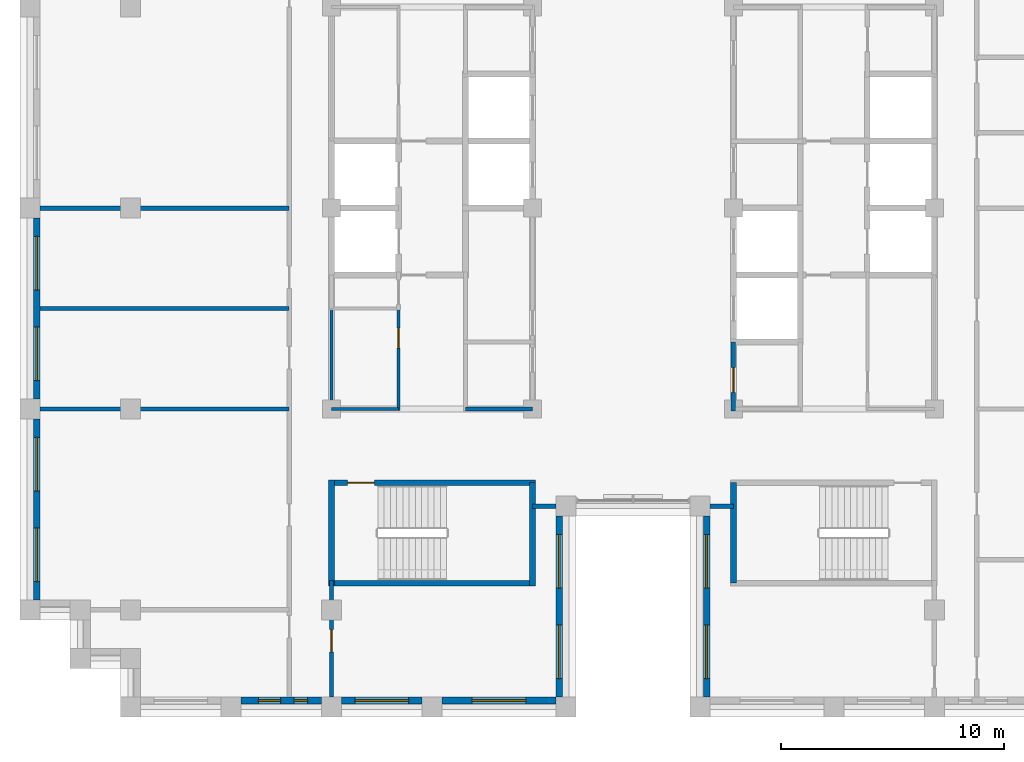
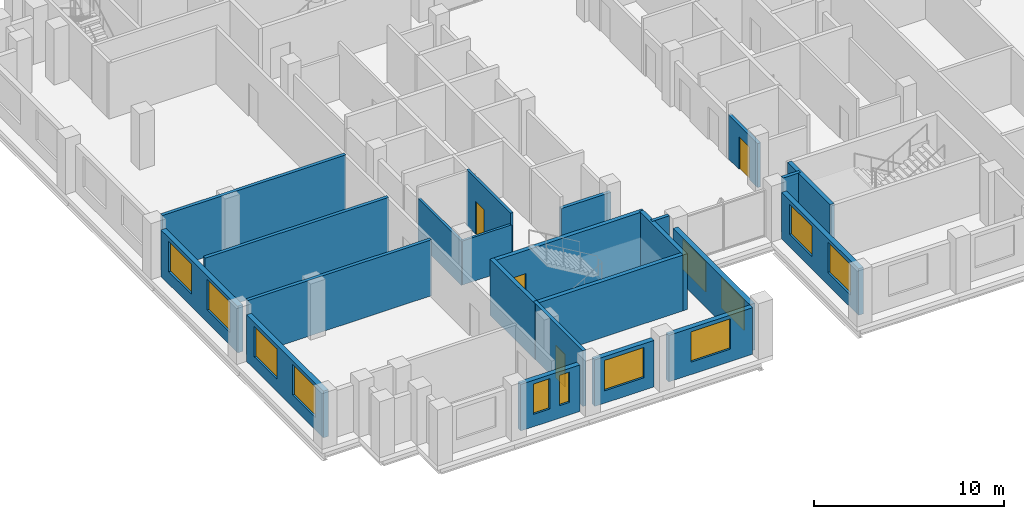
# One storey, part 6 of 13: 23 walls, 12 windows, 4 doors, 16 openings.
"""IFC4 building model written with IfcOpenShell, lengths in metres."""

from ifc_helpers import new_model, si_unit, direction, frame, frame_2d, origin, place, context, subcontext, project, spatial, rectangle, extrude, material, layer, layer_set, type_object, element, fill, save


model = new_model("IFC4")

# Units and contexts
model_context = context("Model", 3, precision=1e-05, world=origin(), true_north=direction((0.0, 1.0)))
body_context = subcontext(model_context, "Body", "Model", "MODEL_VIEW")
ifc_project = project(units=[si_unit("LENGTHUNIT", "METRE"), si_unit("AREAUNIT", "SQUARE_METRE"), si_unit("VOLUMEUNIT", "CUBIC_METRE"), si_unit("PLANEANGLEUNIT", "RADIAN"), si_unit("MASSUNIT", "GRAM", prefix="KILO")], contexts=[model_context])

# Site, building, storey
site_placement = place(None, origin())
site = spatial("IfcSite", under=ifc_project, at=site_placement, CompositionType="ELEMENT")
building_placement = place(site_placement, origin())
building = spatial("IfcBuilding", under=site, at=building_placement, Name="Corbelhall Arena Tower", CompositionType="ELEMENT")
storey_placement = place(building_placement, frame((0.0, 0.0, 290.0)))
storey = spatial("IfcBuildingStorey", under=building, at=storey_placement, Name="L63", CompositionType="ELEMENT", Elevation=290.0)

# Wall, openings, windows
ifc_material_1 = material(Name="Precast concrete C40/50 with granite facing", Category="masonry")
ifc_layer_1 = layer(ifc_material_1, 0.300048828125)
ifc_layer_set_1 = layer_set([ifc_layer_1], Name="EV-IW1 Infill panel 300")
wall_type_1 = type_object("IfcWallType", Name="EV-IW1 Infill panel 300", PredefinedType="SOLIDWALL", material=ifc_layer_set_1)
wall_1_placement = place(storey_placement, frame((-26.699951171875, -0.449951171875, 0.0), z_axis=(0.0, 0.0, 1.0), x_axis=(0.0, -1.0, 0.0)))
wall_1 = element("IfcWall", 1, at=wall_1_placement, inside=storey, type_object=wall_type_1, Name="Infill panel IW1", PredefinedType="SOLIDWALL", context=body_context, shape_type="SweptSolid", body=[
    extrude(rectangle(XDim=8.10009765625, YDim=0.300048828125, at=frame_2d((4.050048828125, 0.0))), origin(), (0.0, 0.0, 1.0), 2.989990234375),
])
opening_1_placement = place(wall_1_placement, frame((0.824951171875, 0.0, 0.800048828125)))
opening_1 = element("IfcOpeningElement", 2, at=opening_1_placement, cuts=wall_1, Name="Opening WN1", PredefinedType="OPENING", context=body_context, shape_type="SweptSolid", body=[
    extrude(rectangle(XDim=2.39990234375, YDim=1.949951171875, at=frame_2d((1.199951171875, 0.97509765625))), frame((0.0, 0.14990234375, 0.0), z_axis=(0.0, -1.0, 0.0), x_axis=(1.0, 0.0, 0.0)), (0.0, 0.0, 1.0), 0.300048828125),
])
opening_2_placement = place(wall_1_placement, frame((4.875, 0.0, 0.800048828125)))
opening_2 = element("IfcOpeningElement", 3, at=opening_2_placement, cuts=wall_1, Name="Opening WN1", PredefinedType="OPENING", context=body_context, shape_type="SweptSolid", body=[
    extrude(rectangle(XDim=2.39990234375, YDim=1.949951171875, at=frame_2d((1.199951171875, 0.97509765625))), frame((0.0, 0.14990234375, 0.0), z_axis=(0.0, -1.0, 0.0), x_axis=(1.0, 0.0, 0.0)), (0.0, 0.0, 1.0), 0.300048828125),
])
ifc_material_2 = material(Name="Aluminium black anodised", Category="aluminium")
window_type_1 = type_object("IfcWindowType", Name="EV-WN1 Office window", PartitioningType="SINGLE_PANEL", PredefinedType="WINDOW", material=ifc_material_2)
window_1_placement = place(opening_1_placement, origin())
window_1 = element("IfcWindow", 4, at=window_1_placement, inside=storey, type_object=window_type_1, Name="Window WN1", OverallHeight=1.949951171875, OverallWidth=2.39990234375, PartitioningType="SINGLE_PANEL", PredefinedType="WINDOW", context=body_context, shape_type="SweptSolid", body=[
    extrude(rectangle(XDim=2.39990234375, YDim=1.949951171875, at=frame_2d((1.199951171875, 0.97509765625))), frame((0.0, 0.030029296875, 0.0), z_axis=(0.0, -1.0, 0.0), x_axis=(1.0, 0.0, 0.0)), (0.0, 0.0, 1.0), 0.06005859375),
])
fill(opening_1, window_1)
window_2_placement = place(opening_2_placement, origin())
window_2 = element("IfcWindow", 5, at=window_2_placement, inside=storey, type_object=window_type_1, Name="Window WN1", OverallHeight=1.949951171875, OverallWidth=2.39990234375, PartitioningType="SINGLE_PANEL", PredefinedType="WINDOW", context=body_context, shape_type="SweptSolid", body=[
    extrude(rectangle(XDim=2.39990234375, YDim=1.949951171875, at=frame_2d((1.199951171875, 0.97509765625))), frame((0.0, 0.030029296875, 0.0), z_axis=(0.0, -1.0, 0.0), x_axis=(1.0, 0.0, 0.0)), (0.0, 0.0, 1.0), 0.06005859375),
])
fill(opening_2, window_2)

wall_2_placement = place(storey_placement, frame((-26.699951171875, -9.449951171875, 0.0), z_axis=(0.0, 0.0, 1.0), x_axis=(0.0, -1.0, 0.0)))
wall_2 = element("IfcWall", 6, at=wall_2_placement, inside=storey, type_object=wall_type_1, Name="Infill panel IW1", PredefinedType="SOLIDWALL", context=body_context, shape_type="SweptSolid", body=[
    extrude(rectangle(XDim=8.10009765625, YDim=0.300048828125, at=frame_2d((4.050048828125, 0.0))), origin(), (0.0, 0.0, 1.0), 2.989990234375),
])
opening_3_placement = place(wall_2_placement, frame((0.824951171875, 0.0, 0.800048828125)))
opening_3 = element("IfcOpeningElement", 7, at=opening_3_placement, cuts=wall_2, Name="Opening WN1", PredefinedType="OPENING", context=body_context, shape_type="SweptSolid", body=[
    extrude(rectangle(XDim=2.39990234375, YDim=1.949951171875, at=frame_2d((1.199951171875, 0.97509765625))), frame((0.0, 0.14990234375, 0.0), z_axis=(0.0, -1.0, 0.0), x_axis=(1.0, 0.0, 0.0)), (0.0, 0.0, 1.0), 0.300048828125),
])
opening_4_placement = place(wall_2_placement, frame((4.875, 0.0, 0.800048828125)))
opening_4 = element("IfcOpeningElement", 8, at=opening_4_placement, cuts=wall_2, Name="Opening WN1", PredefinedType="OPENING", context=body_context, shape_type="SweptSolid", body=[
    extrude(rectangle(XDim=2.39990234375, YDim=1.949951171875, at=frame_2d((1.199951171875, 0.97509765625))), frame((0.0, 0.14990234375, 0.0), z_axis=(0.0, -1.0, 0.0), x_axis=(1.0, 0.0, 0.0)), (0.0, 0.0, 1.0), 0.300048828125),
])
window_3_placement = place(opening_3_placement, origin())
window_3 = element("IfcWindow", 9, at=window_3_placement, inside=storey, type_object=window_type_1, Name="Window WN1", OverallHeight=1.949951171875, OverallWidth=2.39990234375, PartitioningType="SINGLE_PANEL", PredefinedType="WINDOW", context=body_context, shape_type="SweptSolid", body=[
    extrude(rectangle(XDim=2.39990234375, YDim=1.949951171875, at=frame_2d((1.199951171875, 0.97509765625))), frame((0.0, 0.030029296875, 0.0), z_axis=(0.0, -1.0, 0.0), x_axis=(1.0, 0.0, 0.0)), (0.0, 0.0, 1.0), 0.06005859375),
])
fill(opening_3, window_3)
window_4_placement = place(opening_4_placement, origin())
window_4 = element("IfcWindow", 10, at=window_4_placement, inside=storey, type_object=window_type_1, Name="Window WN1", OverallHeight=1.949951171875, OverallWidth=2.39990234375, PartitioningType="SINGLE_PANEL", PredefinedType="WINDOW", context=body_context, shape_type="SweptSolid", body=[
    extrude(rectangle(XDim=2.39990234375, YDim=1.949951171875, at=frame_2d((1.199951171875, 0.97509765625))), frame((0.0, 0.030029296875, 0.0), z_axis=(0.0, -1.0, 0.0), x_axis=(1.0, 0.0, 0.0)), (0.0, 0.0, 1.0), 0.06005859375),
])
fill(opening_4, window_4)

wall_3_placement = place(storey_placement, frame((-17.550048828125, -22.050048828125, 0.0), z_axis=(0.0, 0.0, 1.0), x_axis=(1.0, 0.0, 0.0)))
wall_3 = element("IfcWall", 11, at=wall_3_placement, inside=storey, type_object=wall_type_1, Name="Infill panel IW1", PredefinedType="SOLIDWALL", context=body_context, shape_type="SweptSolid", body=[
    extrude(rectangle(XDim=3.60009765625, YDim=0.300048828125, at=frame_2d((1.800048828125, 0.0))), origin(), (0.0, 0.0, 1.0), 2.989990234375),
])
opening_5_placement = place(wall_3_placement, frame((0.77490234375, 0.0, 0.800048828125)))
opening_5 = element("IfcOpeningElement", 12, at=opening_5_placement, cuts=wall_3, Name="Opening WN6", PredefinedType="OPENING", context=body_context, shape_type="SweptSolid", body=[
    extrude(rectangle(XDim=1.0, YDim=1.949951171875, at=frame_2d((0.5, 0.97509765625))), frame((0.0, 0.14990234375, 0.0), z_axis=(0.0, -1.0, 0.0), x_axis=(1.0, 0.0, 0.0)), (0.0, 0.0, 1.0), 0.300048828125),
])
opening_6_placement = place(wall_3_placement, frame((2.375, 0.0, 0.800048828125)))
opening_6 = element("IfcOpeningElement", 13, at=opening_6_placement, cuts=wall_3, Name="Opening WN5", PredefinedType="OPENING", context=body_context, shape_type="SweptSolid", body=[
    extrude(rectangle(XDim=0.60009765625, YDim=1.949951171875, at=frame_2d((0.300048828125, 0.97509765625))), frame((0.0, 0.14990234375, 0.0), z_axis=(0.0, -1.0, 0.0), x_axis=(1.0, 0.0, 0.0)), (0.0, 0.0, 1.0), 0.300048828125),
])
window_type_2 = type_object("IfcWindowType", Name="EV-WN5 Office window 600", PartitioningType="SINGLE_PANEL", PredefinedType="WINDOW", material=ifc_material_2)
window_5_placement = place(opening_6_placement, origin())
window_5 = element("IfcWindow", 14, at=window_5_placement, inside=storey, type_object=window_type_2, Name="Window WN5", OverallHeight=1.949951171875, OverallWidth=0.60009765625, PartitioningType="SINGLE_PANEL", PredefinedType="WINDOW", context=body_context, shape_type="SweptSolid", body=[
    extrude(rectangle(XDim=0.60009765625, YDim=1.949951171875, at=frame_2d((0.300048828125, 0.97509765625))), frame((0.0, 0.030029296875, 0.0), z_axis=(0.0, -1.0, 0.0), x_axis=(1.0, 0.0, 0.0)), (0.0, 0.0, 1.0), 0.06005859375),
])
fill(opening_6, window_5)
window_type_3 = type_object("IfcWindowType", Name="EV-WN6 Office window 1000", PartitioningType="SINGLE_PANEL", PredefinedType="WINDOW", material=ifc_material_2)
window_6_placement = place(opening_5_placement, origin())
window_6 = element("IfcWindow", 15, at=window_6_placement, inside=storey, type_object=window_type_3, Name="Window WN6", OverallHeight=1.949951171875, OverallWidth=1.0, PartitioningType="SINGLE_PANEL", PredefinedType="WINDOW", context=body_context, shape_type="SweptSolid", body=[
    extrude(rectangle(XDim=1.0, YDim=1.949951171875, at=frame_2d((0.5, 0.97509765625))), frame((0.0, 0.030029296875, 0.0), z_axis=(0.0, -1.0, 0.0), x_axis=(1.0, 0.0, 0.0)), (0.0, 0.0, 1.0), 0.06005859375),
])
fill(opening_5, window_6)

# Wall, opening, window
wall_4_placement = place(storey_placement, frame((-13.050048828125, -22.050048828125, 0.0), z_axis=(0.0, 0.0, 1.0), x_axis=(1.0, 0.0, 0.0)))
wall_4 = element("IfcWall", 16, at=wall_4_placement, inside=storey, type_object=wall_type_1, Name="Infill panel IW1", PredefinedType="SOLIDWALL", context=body_context, shape_type="SweptSolid", body=[
    extrude(rectangle(XDim=3.60009765625, YDim=0.300048828125, at=frame_2d((1.800048828125, 0.0))), origin(), (0.0, 0.0, 1.0), 2.989990234375),
])
opening_7_placement = place(wall_4_placement, frame((0.60009765625, 0.0, 0.800048828125)))
opening_7 = element("IfcOpeningElement", 17, at=opening_7_placement, cuts=wall_4, Name="Opening WN1", PredefinedType="OPENING", context=body_context, shape_type="SweptSolid", body=[
    extrude(rectangle(XDim=2.39990234375, YDim=1.949951171875, at=frame_2d((1.199951171875, 0.97509765625))), frame((0.0, 0.14990234375, 0.0), z_axis=(0.0, -1.0, 0.0), x_axis=(1.0, 0.0, 0.0)), (0.0, 0.0, 1.0), 0.300048828125),
])
window_7_placement = place(opening_7_placement, origin())
window_7 = element("IfcWindow", 18, at=window_7_placement, inside=storey, type_object=window_type_1, Name="Window WN1", OverallHeight=1.949951171875, OverallWidth=2.39990234375, PartitioningType="SINGLE_PANEL", PredefinedType="WINDOW", context=body_context, shape_type="SweptSolid", body=[
    extrude(rectangle(XDim=2.39990234375, YDim=1.949951171875, at=frame_2d((1.199951171875, 0.97509765625))), frame((0.0, 0.030029296875, 0.0), z_axis=(0.0, -1.0, 0.0), x_axis=(1.0, 0.0, 0.0)), (0.0, 0.0, 1.0), 0.06005859375),
])
fill(opening_7, window_7)

wall_5_placement = place(storey_placement, frame((-8.550048828125, -22.050048828125, 0.0), z_axis=(0.0, 0.0, 1.0), x_axis=(1.0, 0.0, 0.0)))
wall_5 = element("IfcWall", 19, at=wall_5_placement, inside=storey, type_object=wall_type_1, Name="Infill panel IW1", PredefinedType="SOLIDWALL", context=body_context, shape_type="SweptSolid", body=[
    extrude(rectangle(XDim=5.10009765625, YDim=0.300048828125, at=frame_2d((2.550048828125, 0.0))), origin(), (0.0, 0.0, 1.0), 2.989990234375),
])
opening_8_placement = place(wall_5_placement, frame((1.35009765625, 0.0, 0.800048828125)))
opening_8 = element("IfcOpeningElement", 20, at=opening_8_placement, cuts=wall_5, Name="Opening WN1", PredefinedType="OPENING", context=body_context, shape_type="SweptSolid", body=[
    extrude(rectangle(XDim=2.39990234375, YDim=1.949951171875, at=frame_2d((1.199951171875, 0.97509765625))), frame((0.0, 0.14990234375, 0.0), z_axis=(0.0, -1.0, 0.0), x_axis=(1.0, 0.0, 0.0)), (0.0, 0.0, 1.0), 0.300048828125),
])
window_8_placement = place(opening_8_placement, origin())
window_8 = element("IfcWindow", 21, at=window_8_placement, inside=storey, type_object=window_type_1, Name="Window WN1", OverallHeight=1.949951171875, OverallWidth=2.39990234375, PartitioningType="SINGLE_PANEL", PredefinedType="WINDOW", context=body_context, shape_type="SweptSolid", body=[
    extrude(rectangle(XDim=2.39990234375, YDim=1.949951171875, at=frame_2d((1.199951171875, 0.97509765625))), frame((0.0, 0.030029296875, 0.0), z_axis=(0.0, -1.0, 0.0), x_axis=(1.0, 0.0, 0.0)), (0.0, 0.0, 1.0), 0.06005859375),
])
fill(opening_8, window_8)

# Wall, openings, windows
wall_6_placement = place(storey_placement, frame((-3.300048828125, -21.89990234375, 0.0), z_axis=(0.0, 0.0, 1.0), x_axis=(0.0, 1.0, 0.0)))
wall_6 = element("IfcWall", 22, at=wall_6_placement, inside=storey, type_object=wall_type_1, Name="Infill panel IW1", PredefinedType="SOLIDWALL", context=body_context, shape_type="SweptSolid", body=[
    extrude(rectangle(XDim=8.099853515625, YDim=0.300048828125, at=frame_2d((4.0498046875, 0.0))), origin(), (0.0, 0.0, 1.0), 2.989990234375),
])
opening_9_placement = place(wall_6_placement, frame((0.824951171875, 0.0, 0.800048828125)))
opening_9 = element("IfcOpeningElement", 23, at=opening_9_placement, cuts=wall_6, Name="Opening WN1", PredefinedType="OPENING", context=body_context, shape_type="SweptSolid", body=[
    extrude(rectangle(XDim=2.39990234375, YDim=1.949951171875, at=frame_2d((1.199951171875, 0.97509765625))), frame((0.0, 0.14990234375, 0.0), z_axis=(0.0, -1.0, 0.0), x_axis=(1.0, 0.0, 0.0)), (0.0, 0.0, 1.0), 0.300048828125),
])
opening_10_placement = place(wall_6_placement, frame((4.875, 0.0, 0.800048828125)))
opening_10 = element("IfcOpeningElement", 24, at=opening_10_placement, cuts=wall_6, Name="Opening WN1", PredefinedType="OPENING", context=body_context, shape_type="SweptSolid", body=[
    extrude(rectangle(XDim=2.39990234375, YDim=1.949951171875, at=frame_2d((1.199951171875, 0.97509765625))), frame((0.0, 0.14990234375, 0.0), z_axis=(0.0, -1.0, 0.0), x_axis=(1.0, 0.0, 0.0)), (0.0, 0.0, 1.0), 0.300048828125),
])
window_9_placement = place(opening_9_placement, origin())
window_9 = element("IfcWindow", 25, at=window_9_placement, inside=storey, type_object=window_type_1, Name="Window WN1", OverallHeight=1.949951171875, OverallWidth=2.39990234375, PartitioningType="SINGLE_PANEL", PredefinedType="WINDOW", context=body_context, shape_type="SweptSolid", body=[
    extrude(rectangle(XDim=2.39990234375, YDim=1.949951171875, at=frame_2d((1.199951171875, 0.97509765625))), frame((0.0, 0.030029296875, 0.0), z_axis=(0.0, -1.0, 0.0), x_axis=(1.0, 0.0, 0.0)), (0.0, 0.0, 1.0), 0.06005859375),
])
fill(opening_9, window_9)
window_10_placement = place(opening_10_placement, origin())
window_10 = element("IfcWindow", 26, at=window_10_placement, inside=storey, type_object=window_type_1, Name="Window WN1", OverallHeight=1.949951171875, OverallWidth=2.39990234375, PartitioningType="SINGLE_PANEL", PredefinedType="WINDOW", context=body_context, shape_type="SweptSolid", body=[
    extrude(rectangle(XDim=2.39990234375, YDim=1.949951171875, at=frame_2d((1.199951171875, 0.97509765625))), frame((0.0, 0.030029296875, 0.0), z_axis=(0.0, -1.0, 0.0), x_axis=(1.0, 0.0, 0.0)), (0.0, 0.0, 1.0), 0.06005859375),
])
fill(opening_10, window_10)

wall_7_placement = place(storey_placement, frame((3.300048828125, -13.800048828125, 0.0), z_axis=(0.0, 0.0, 1.0), x_axis=(0.0, -1.0, 0.0)))
wall_7 = element("IfcWall", 27, at=wall_7_placement, inside=storey, type_object=wall_type_1, Name="Infill panel IW1", PredefinedType="SOLIDWALL", context=body_context, shape_type="SweptSolid", body=[
    extrude(rectangle(XDim=8.099853515625, YDim=0.300048828125, at=frame_2d((4.0498046875, 0.0))), origin(), (0.0, 0.0, 1.0), 2.989990234375),
])
opening_11_placement = place(wall_7_placement, frame((0.824951171875, 0.0, 0.800048828125)))
opening_11 = element("IfcOpeningElement", 28, at=opening_11_placement, cuts=wall_7, Name="Opening WN1", PredefinedType="OPENING", context=body_context, shape_type="SweptSolid", body=[
    extrude(rectangle(XDim=2.39990234375, YDim=1.949951171875, at=frame_2d((1.199951171875, 0.97509765625))), frame((0.0, 0.14990234375, 0.0), z_axis=(0.0, -1.0, 0.0), x_axis=(1.0, 0.0, 0.0)), (0.0, 0.0, 1.0), 0.300048828125),
])
opening_12_placement = place(wall_7_placement, frame((4.875, 0.0, 0.800048828125)))
opening_12 = element("IfcOpeningElement", 29, at=opening_12_placement, cuts=wall_7, Name="Opening WN1", PredefinedType="OPENING", context=body_context, shape_type="SweptSolid", body=[
    extrude(rectangle(XDim=2.39990234375, YDim=1.949951171875, at=frame_2d((1.199951171875, 0.97509765625))), frame((0.0, 0.14990234375, 0.0), z_axis=(0.0, -1.0, 0.0), x_axis=(1.0, 0.0, 0.0)), (0.0, 0.0, 1.0), 0.300048828125),
])
window_11_placement = place(opening_11_placement, origin())
window_11 = element("IfcWindow", 30, at=window_11_placement, inside=storey, type_object=window_type_1, Name="Window WN1", OverallHeight=1.949951171875, OverallWidth=2.39990234375, PartitioningType="SINGLE_PANEL", PredefinedType="WINDOW", context=body_context, shape_type="SweptSolid", body=[
    extrude(rectangle(XDim=2.39990234375, YDim=1.949951171875, at=frame_2d((1.199951171875, 0.97509765625))), frame((0.0, 0.030029296875, 0.0), z_axis=(0.0, -1.0, 0.0), x_axis=(1.0, 0.0, 0.0)), (0.0, 0.0, 1.0), 0.06005859375),
])
fill(opening_11, window_11)
window_12_placement = place(opening_12_placement, origin())
window_12 = element("IfcWindow", 31, at=window_12_placement, inside=storey, type_object=window_type_1, Name="Window WN1", OverallHeight=1.949951171875, OverallWidth=2.39990234375, PartitioningType="SINGLE_PANEL", PredefinedType="WINDOW", context=body_context, shape_type="SweptSolid", body=[
    extrude(rectangle(XDim=2.39990234375, YDim=1.949951171875, at=frame_2d((1.199951171875, 0.97509765625))), frame((0.0, 0.030029296875, 0.0), z_axis=(0.0, -1.0, 0.0), x_axis=(1.0, 0.0, 0.0)), (0.0, 0.0, 1.0), 0.06005859375),
])
fill(opening_12, window_12)

# Walls
ifc_material_3 = material(Name="Gypsum board on steel stud, acoustic", Category="steel")
ifc_layer_2 = layer(ifc_material_3, 0.199951171875)
ifc_layer_set_2 = layer_set([ifc_layer_2], Name="IN-W-DM200")
wall_type_2 = type_object("IfcWallType", Name="IN-W-DM200", PredefinedType="PARTITIONING", material=ifc_layer_set_2)
for number, where, z_axis, x_axis, name in (
    (32, (-26.550048828125, -9.0, 0.0), (0.0, 0.0, 1.0), (1.0, 0.0, 0.0), "Partition 001"),
    (33, (-26.550048828125, -4.5, 0.0), (0.0, 0.0, 1.0), (1.0, 0.0, 0.0), "Partition 002"),
    (34, (-15.39990234375, 0.0, 0.0), (0.0, 0.0, 1.0), (-1.0, 0.0, 0.0), "Partition 006"),
):
    element("IfcWall", number, at=place(storey_placement, frame(where, z_axis=z_axis, x_axis=x_axis)), inside=storey, type_object=wall_type_2, Name=name, PredefinedType="PARTITIONING", context=body_context, shape_type="SweptSolid", body=[
        extrude(rectangle(XDim=11.150146484375, YDim=0.199951171875, at=frame_2d((5.5751953125, 0.0))), origin(), (0.0, 0.0, 1.0), 3.590087890625),
    ])

# Wall, opening, door
wall_8_placement = place(storey_placement, frame((-13.5, -16.675048828125, 0.0), z_axis=(0.0, 0.0, 1.0), x_axis=(0.0, -1.0, 0.0)))
wall_8 = element("IfcWall", 35, at=wall_8_placement, inside=storey, type_object=wall_type_2, Name="Partition 008", PredefinedType="PARTITIONING", context=body_context, shape_type="SweptSolid", body=[
    extrude(rectangle(XDim=5.224853515625, YDim=0.199951171875, at=frame_2d((2.6123046875, 0.0))), origin(), (0.0, 0.0, 1.0), 3.590087890625),
])
opening_13_placement = place(wall_8_placement, frame((2.199951171875, 0.0, 0.0)))
opening_13 = element("IfcOpeningElement", 36, at=opening_13_placement, cuts=wall_8, Name="Opening 20021", PredefinedType="OPENING", context=body_context, shape_type="SweptSolid", body=[
    extrude(rectangle(XDim=1.0, YDim=2.10009765625, at=frame_2d((0.5, 1.050048828125))), frame((0.0, 0.10009765625, 0.0), z_axis=(0.0, -1.0, 0.0), x_axis=(1.0, 0.0, 0.0)), (0.0, 0.0, 1.0), 0.199951171875),
])
ifc_material_4 = material(Name="Steel door set", Category="steel")
door_type_1 = type_object("IfcDoorType", Name="IN-D-SW100", OperationType="NOTDEFINED", PredefinedType="DOOR", material=ifc_material_4)
door_1_placement = place(opening_13_placement, origin())
door_1 = element("IfcDoor", 37, at=door_1_placement, inside=storey, type_object=door_type_1, Name="Door 021", OperationType="SINGLE_SWING_RIGHT", OverallHeight=2.10009765625, OverallWidth=1.0, PredefinedType="DOOR", context=body_context, shape_type="SweptSolid", body=[
    extrude(rectangle(XDim=1.0, YDim=2.10009765625, at=frame_2d((0.5, 1.050048828125))), frame((0.0, 0.02490234375, 0.0), z_axis=(0.0, -1.0, 0.0), x_axis=(1.0, 0.0, 0.0)), (0.0, 0.0, 1.0), 0.050048828125),
])
fill(opening_13, door_1)

# Walls
for number, where, z_axis, x_axis, name in (
    (38, (-3.449951171875, -13.35009765625, 0.0), (0.0, 0.0, 1.0), (-1.0, 0.0, 0.0), "Partition 009"),
    (39, (4.5, -13.35009765625, 0.0), (0.0, 0.0, 1.0), (-1.0, 0.0, 0.0), "Partition 011"),
):
    element("IfcWall", number, at=place(storey_placement, frame(where, z_axis=z_axis, x_axis=x_axis)), inside=storey, type_object=wall_type_2, Name=name, PredefinedType="PARTITIONING", context=body_context, shape_type="SweptSolid", body=[
        extrude(rectangle(XDim=1.050048828125, YDim=0.199951171875, at=frame_2d((0.52490234375, 0.0))), origin(), (0.0, 0.0, 1.0), 3.590087890625),
    ])
ifc_material_5 = material(Name="Concrete block wall", Category="concrete")
ifc_layer_3 = layer(ifc_material_5, 0.199951171875)
ifc_layer_set_3 = layer_set([ifc_layer_3], Name="IN-W-RS200 under beam 762 mm")
wall_type_3 = type_object("IfcWallType", Name="IN-W-RS200 under beam 762 mm", PredefinedType="SOLIDWALL", material=ifc_layer_set_3)
wall_9_placement = place(storey_placement, frame((-4.5, -9.0, 0.0), z_axis=(0.0, 0.0, 1.0), x_axis=(-1.0, 0.0, 0.0)))
element("IfcWall", 40, at=wall_9_placement, inside=storey, type_object=wall_type_3, Name="Partition 027", PredefinedType="SOLIDWALL", context=body_context, shape_type="SweptSolid", body=[
    extrude(rectangle(XDim=3.0, YDim=0.199951171875, at=frame_2d((1.5, 0.0))), origin(), (0.0, 0.0, 1.0), 2.827880859375),
])

# Wall, opening, door
wall_10_placement = place(storey_placement, frame((4.5, -9.10009765625, 0.0), z_axis=(0.0, 0.0, 1.0), x_axis=(0.0, 1.0, 0.0)))
wall_10 = element("IfcWall", 41, at=wall_10_placement, inside=storey, type_object=wall_type_3, Name="Partition 031", PredefinedType="SOLIDWALL", context=body_context, shape_type="SweptSolid", body=[
    extrude(rectangle(XDim=3.10009765625, YDim=0.199951171875, at=frame_2d((1.550048828125, 0.0))), origin(), (0.0, 0.0, 1.0), 2.827880859375),
])
opening_14_placement = place(wall_10_placement, frame((0.85009765625, 0.0, 0.0)))
opening_14 = element("IfcOpeningElement", 42, at=opening_14_placement, cuts=wall_10, Name="Opening 20009", PredefinedType="OPENING", context=body_context, shape_type="SweptSolid", body=[
    extrude(rectangle(XDim=1.10009765625, YDim=2.10009765625, at=frame_2d((0.550048828125, 1.050048828125))), frame((0.0, 0.10009765625, 0.0), z_axis=(0.0, -1.0, 0.0), x_axis=(1.0, 0.0, 0.0)), (0.0, 0.0, 1.0), 0.199951171875),
])
door_type_2 = type_object("IfcDoorType", Name="IN-D-FD110", OperationType="NOTDEFINED", PredefinedType="DOOR", material=ifc_material_4)
door_2_placement = place(opening_14_placement, origin())
door_2 = element("IfcDoor", 43, at=door_2_placement, inside=storey, type_object=door_type_2, Name="Door 009", OperationType="SINGLE_SWING_RIGHT", OverallHeight=2.10009765625, OverallWidth=1.10009765625, PredefinedType="DOOR", context=body_context, shape_type="SweptSolid", body=[
    extrude(rectangle(XDim=1.10009765625, YDim=2.10009765625, at=frame_2d((0.550048828125, 1.050048828125))), frame((0.0, 0.02490234375, 0.0), z_axis=(0.0, -1.0, 0.0), x_axis=(1.0, 0.0, 0.0)), (0.0, 0.0, 1.0), 0.050048828125),
])
fill(opening_14, door_2)

# Walls
ifc_material_6 = material(Name="Concrete C40/50", Category="concrete")
ifc_layer_4 = layer(ifc_material_6, 0.25)
ifc_layer_set_4 = layer_set([ifc_layer_4], Name="IN-W-ST250")
wall_type_4 = type_object("IfcWallType", Name="IN-W-ST250", PredefinedType="SOLIDWALL", material=ifc_layer_set_4)
wall_11_placement = place(storey_placement, frame((-13.5, -12.175048828125, 0.0), z_axis=(0.0, 0.0, 1.0), x_axis=(0.0, -1.0, 0.0)))
element("IfcWall", 44, at=wall_11_placement, inside=storey, type_object=wall_type_4, Name="Shaft wall 059", PredefinedType="SOLIDWALL", context=body_context, shape_type="SweptSolid", body=[
    extrude(rectangle(XDim=4.75, YDim=0.25, at=frame_2d((2.375, 0.0))), origin(), (0.0, 0.0, 1.0), 3.590087890625),
])
wall_12_placement = place(storey_placement, frame((-4.5, -16.800048828125, 0.0), z_axis=(0.0, 0.0, 1.0), x_axis=(-1.0, 0.0, 0.0)))
element("IfcWall", 45, at=wall_12_placement, inside=storey, type_object=wall_type_4, Name="Shaft wall 063", PredefinedType="SOLIDWALL", context=body_context, shape_type="SweptSolid", body=[
    extrude(rectangle(XDim=9.0, YDim=0.25, at=frame_2d((4.5, 0.0))), origin(), (0.0, 0.0, 1.0), 3.590087890625),
])
wall_13_placement = place(storey_placement, frame((-4.5, -12.300048828125, 0.0), z_axis=(0.0, 0.0, 1.0), x_axis=(0.0, -1.0, 0.0)))
element("IfcWall", 46, at=wall_13_placement, inside=storey, type_object=wall_type_4, Name="Shaft wall 064", PredefinedType="SOLIDWALL", context=body_context, shape_type="SweptSolid", body=[
    extrude(rectangle(XDim=4.625, YDim=0.25, at=frame_2d((2.3125, 0.0))), origin(), (0.0, 0.0, 1.0), 3.590087890625),
])

# Wall, opening, door
wall_14_placement = place(storey_placement, frame((-4.375, -12.300048828125, 0.0), z_axis=(0.0, 0.0, 1.0), x_axis=(-1.0, 0.0, 0.0)))
wall_14 = element("IfcWall", 47, at=wall_14_placement, inside=storey, type_object=wall_type_4, Name="Shaft wall 067", PredefinedType="SOLIDWALL", context=body_context, shape_type="SweptSolid", body=[
    extrude(rectangle(XDim=9.125, YDim=0.25, at=frame_2d((4.5625, 0.0))), origin(), (0.0, 0.0, 1.0), 3.590087890625),
])
opening_15_placement = place(wall_14_placement, frame((7.199951171875, 0.0, 0.0)))
opening_15 = element("IfcOpeningElement", 48, at=opening_15_placement, cuts=wall_14, Name="Opening 20017", PredefinedType="OPENING", context=body_context, shape_type="SweptSolid", body=[
    extrude(rectangle(XDim=1.199951171875, YDim=2.10009765625, at=frame_2d((0.60009765625, 1.050048828125))), frame((0.0, 0.125, 0.0), z_axis=(0.0, -1.0, 0.0), x_axis=(1.0, 0.0, 0.0)), (0.0, 0.0, 1.0), 0.25),
])
door_type_3 = type_object("IfcDoorType", Name="IN-D-ST120", OperationType="NOTDEFINED", PredefinedType="DOOR", material=ifc_material_4)
door_3_placement = place(opening_15_placement, origin())
door_3 = element("IfcDoor", 49, at=door_3_placement, inside=storey, type_object=door_type_3, Name="Door 017", OperationType="SINGLE_SWING_RIGHT", OverallHeight=2.10009765625, OverallWidth=1.199951171875, PredefinedType="DOOR", context=body_context, shape_type="SweptSolid", body=[
    extrude(rectangle(XDim=1.199951171875, YDim=2.10009765625, at=frame_2d((0.60009765625, 1.050048828125))), frame((0.0, 0.02490234375, 0.0), z_axis=(0.0, -1.0, 0.0), x_axis=(1.0, 0.0, 0.0)), (0.0, 0.0, 1.0), 0.050048828125),
])
fill(opening_15, door_3)

# Wall
wall_15_placement = place(storey_placement, frame((4.5, -16.800048828125, 0.0), z_axis=(0.0, 0.0, 1.0), x_axis=(0.0, 1.0, 0.0)))
element("IfcWall", 50, at=wall_15_placement, inside=storey, type_object=wall_type_4, Name="Shaft wall 070", PredefinedType="SOLIDWALL", context=body_context, shape_type="SweptSolid", body=[
    extrude(rectangle(XDim=4.5, YDim=0.25, at=frame_2d((2.25, 0.0))), origin(), (0.0, 0.0, 1.0), 3.590087890625),
])

# Wall, opening, door
ifc_material_7 = material(Name="Gypsum board on steel stud, moisture resistant", Category="steel")
ifc_layer_5 = layer(ifc_material_7, 0.14990234375)
ifc_layer_set_5 = layer_set([ifc_layer_5], Name="IN-W-WC150")
wall_type_5 = type_object("IfcWallType", Name="IN-W-WC150", PredefinedType="PARTITIONING", material=ifc_layer_set_5)
wall_16_placement = place(storey_placement, frame((-10.5, -9.074951171875, 0.0), z_axis=(0.0, 0.0, 1.0), x_axis=(0.0, 1.0, 0.0)))
wall_16 = element("IfcWall", 51, at=wall_16_placement, inside=storey, type_object=wall_type_5, Name="Partition 080", PredefinedType="PARTITIONING", context=body_context, shape_type="SweptSolid", body=[
    extrude(rectangle(XDim=4.64990234375, YDim=0.14990234375, at=frame_2d((2.324951171875, 0.0))), origin(), (0.0, 0.0, 1.0), 3.590087890625),
])
opening_16_placement = place(wall_16_placement, frame((2.800048828125, 0.0, 0.0)))
opening_16 = element("IfcOpeningElement", 52, at=opening_16_placement, cuts=wall_16, Name="Opening 20006", PredefinedType="OPENING", context=body_context, shape_type="SweptSolid", body=[
    extrude(rectangle(XDim=0.89990234375, YDim=2.10009765625, at=frame_2d((0.449951171875, 1.050048828125))), frame((0.0, 0.074951171875, 0.0), z_axis=(0.0, -1.0, 0.0), x_axis=(1.0, 0.0, 0.0)), (0.0, 0.0, 1.0), 0.14990234375),
])
ifc_material_8 = material(Name="Timber door set", Category="wood")
door_type_4 = type_object("IfcDoorType", Name="IN-D-SW90", OperationType="NOTDEFINED", PredefinedType="DOOR", material=ifc_material_8)
door_4_placement = place(opening_16_placement, origin())
door_4 = element("IfcDoor", 53, at=door_4_placement, inside=storey, type_object=door_type_4, Name="Door 006", OperationType="SINGLE_SWING_LEFT", OverallHeight=2.10009765625, OverallWidth=0.89990234375, PredefinedType="DOOR", context=body_context, shape_type="SweptSolid", body=[
    extrude(rectangle(XDim=0.89990234375, YDim=2.10009765625, at=frame_2d((0.449951171875, 1.050048828125))), frame((0.0, 0.02490234375, 0.0), z_axis=(0.0, -1.0, 0.0), x_axis=(1.0, 0.0, 0.0)), (0.0, 0.0, 1.0), 0.050048828125),
])
fill(opening_16, door_4)

# Walls
ifc_layer_6 = layer(ifc_material_7, 0.14990234375)
ifc_layer_set_6 = layer_set([ifc_layer_6], Name="IN-W-WC150 under beam 762 mm")
wall_type_6 = type_object("IfcWallType", Name="IN-W-WC150 under beam 762 mm", PredefinedType="PARTITIONING", material=ifc_layer_set_6)
wall_17_placement = place(storey_placement, frame((-13.5, -9.074951171875, 0.0), z_axis=(0.0, 0.0, 1.0), x_axis=(0.0, 1.0, 0.0)))
element("IfcWall", 54, at=wall_17_placement, inside=storey, type_object=wall_type_6, Name="Partition 077", PredefinedType="PARTITIONING", context=body_context, shape_type="SweptSolid", body=[
    extrude(rectangle(XDim=4.574951171875, YDim=0.14990234375, at=frame_2d((2.28759765625, 0.0))), origin(), (0.0, 0.0, 1.0), 2.827880859375),
])
wall_18_placement = place(storey_placement, frame((-10.5, -9.0, 0.0), z_axis=(0.0, 0.0, 1.0), x_axis=(-1.0, 0.0, 0.0)))
element("IfcWall", 55, at=wall_18_placement, inside=storey, type_object=wall_type_6, Name="Partition 081", PredefinedType="PARTITIONING", context=body_context, shape_type="SweptSolid", body=[
    extrude(rectangle(XDim=3.0, YDim=0.14990234375, at=frame_2d((1.5, 0.0))), origin(), (0.0, 0.0, 1.0), 2.827880859375),
])

save(model, "model.ifc")
